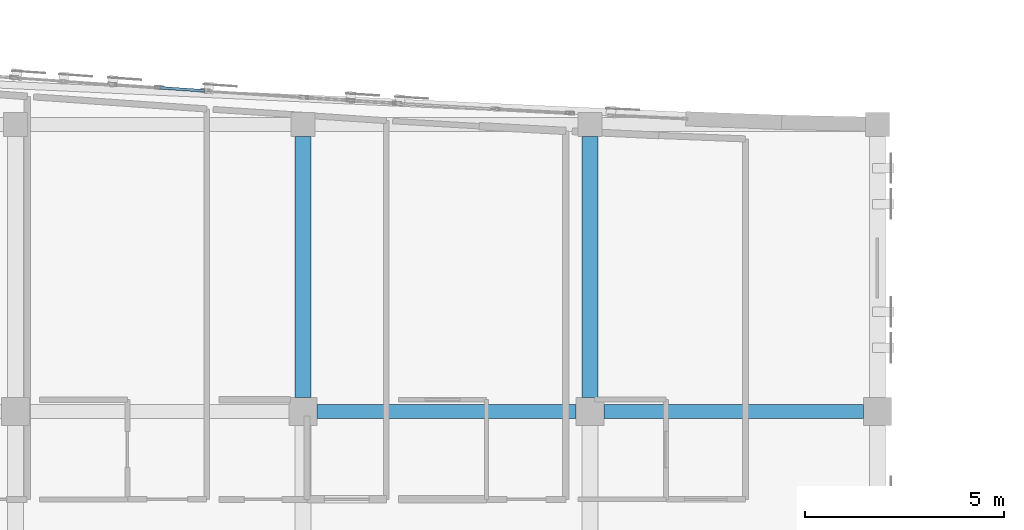
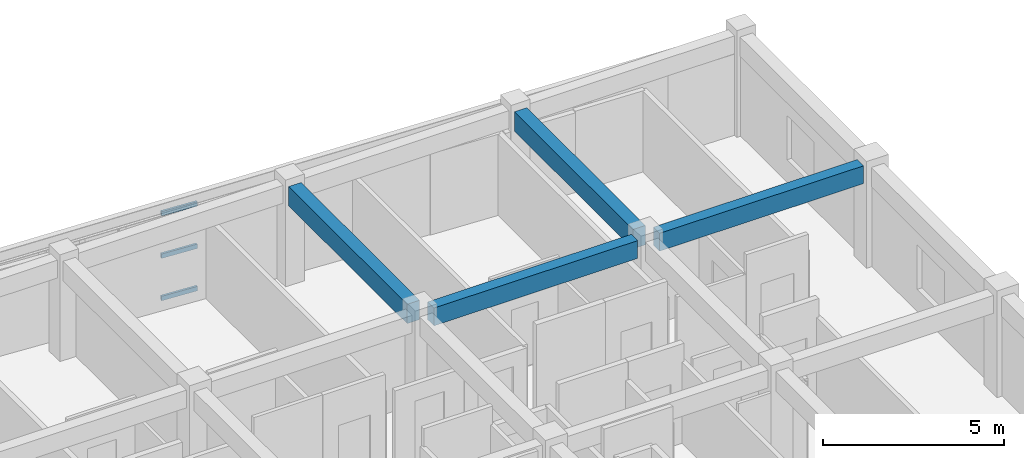
# One storey, part 27 of 50: 4 beams, 3 members, 1 element without a shape of its own.
"""IFC4 building model written with IfcOpenShell, lengths in metres."""

from ifc_helpers import new_model, si_unit, direction, frame, origin, origin_2d, place, context, subcontext, project, spatial, rectangle, hollow_rectangle, extrude, material, layer, layer_set, material_profile, profile_set, type_object, element, aggregate, save


model = new_model("IFC4")

# Units and contexts
model_context = context("Model", 3, precision=1e-05, world=origin(), true_north=direction((0.0, 1.0)))
body_context = subcontext(model_context, "Body", "Model", "MODEL_VIEW")
ifc_project = project(units=[si_unit("LENGTHUNIT", "METRE"), si_unit("AREAUNIT", "SQUARE_METRE"), si_unit("VOLUMEUNIT", "CUBIC_METRE"), si_unit("PLANEANGLEUNIT", "RADIAN"), si_unit("MASSUNIT", "GRAM", prefix="KILO")], contexts=[model_context])

# Site, building, storey
site_placement = place(None, origin())
site = spatial("IfcSite", under=ifc_project, at=site_placement, CompositionType="ELEMENT")
building_placement = place(site_placement, origin())
building = spatial("IfcBuilding", under=site, at=building_placement, Name="Carrowvane Square Congress Hotel", CompositionType="ELEMENT")
storey_placement = place(building_placement, frame((0.0, 0.0, 22.800048828125)))
storey = spatial("IfcBuildingStorey", under=building, at=storey_placement, Name="L05", CompositionType="ELEMENT", Elevation=22.800048828125)

# Beams
ifc_material_1 = material(Name="Concrete C35/45", Category="concrete")
ifc_material_profile_1 = material_profile(ifc_material_1, rectangle(XDim=0.35009765625, YDim=0.60009765625, at=origin_2d()), Name="RC 350x600")
ifc_profile_set_1 = profile_set([ifc_material_profile_1], Name="Concrete C35/45")
beam_type_1 = type_object("IfcBeamType", Name="BM-RC-350x600", PredefinedType="BEAM", material=ifc_profile_set_1)
for number, where, z_axis, x_axis, name in (
    (1, (148.75, 106.199951171875, 3.050048828125), (1.0, 0.0, 0.0), (0.0, 1.0, 0.0), "L06 girder Q/20-21"),
    (2, (155.949951171875, 106.199951171875, 3.050048828125), (1.0, 0.0, 0.0), (0.0, 1.0, 0.0), "L06 girder Q/21-22"),
):
    element("IfcBeam", number, at=place(storey_placement, frame(where, z_axis=z_axis, x_axis=x_axis)), inside=storey, type_object=beam_type_1, Name=name, PredefinedType="BEAM", context=body_context, shape_type="SweptSolid", body=[
        extrude(rectangle(XDim=0.35009765625, YDim=0.60009765625, at=origin_2d()), origin(), (0.0, 0.0, 1.0), 6.5),
    ])
ifc_material_2 = material(Name="Concrete C35/45", Category="concrete")
ifc_material_profile_2 = material_profile(ifc_material_2, rectangle(XDim=0.39990234375, YDim=0.64990234375, at=origin_2d()), Name="RC 400x650")
ifc_profile_set_2 = profile_set([ifc_material_profile_2], Name="Concrete C35/45")
beam_type_2 = type_object("IfcBeamType", Name="BM-RC-400x650", PredefinedType="BEAM", material=ifc_profile_set_2)
for number, where, z_axis, x_axis, name in (
    (3, (148.39990234375, 106.550048828125, 3.02490234375), (0.0, 1.0, 0.0), (-1.0, 0.0, 0.0), "L06 girder 20/Q-R"),
    (4, (155.60009765625, 106.550048828125, 3.02490234375), (0.0, 1.0, 0.0), (-1.0, 0.0, 0.0), "L06 girder 21/Q-R"),
):
    element("IfcBeam", number, at=place(storey_placement, frame(where, z_axis=z_axis, x_axis=x_axis)), inside=storey, type_object=beam_type_2, Name=name, PredefinedType="BEAM", context=body_context, shape_type="SweptSolid", body=[
        extrude(rectangle(XDim=0.39990234375, YDim=0.64990234375, at=origin_2d()), origin(), (0.0, 0.0, 1.0), 6.550048828125),
    ])

# Curtain wall, members
ifc_material_3 = material(Name="Anodised aluminium", Category="aluminium")
ifc_layer = layer(ifc_material_3, 0.24609375)
ifc_layer_set = layer_set([ifc_layer], Name="Anodised aluminium")
curtain_wall_type = type_object("IfcCurtainWallType", Name="CW-SYS-8", PredefinedType="NOTDEFINED", material=ifc_layer_set)
curtain_wall_placement = place(storey_placement, origin())
curtain_wall = element("IfcCurtainWall", 5, at=curtain_wall_placement, inside=storey, type_object=curtain_wall_type, Name="L05 unitised curtain wall 351", PredefinedType="NOTDEFINED")
ifc_material_4 = material(Name="Anodised aluminium", Category="aluminium")
ifc_material_profile_3 = material_profile(ifc_material_4, hollow_rectangle(XDim=0.070068359375, YDim=0.14990234375, WallThickness=0.0048828125, at=origin_2d()), Name="CW-TR 70x150x5")
ifc_profile_set_3 = profile_set([ifc_material_profile_3], Name="Anodised aluminium")
member_type = type_object("IfcMemberType", Name="CW-TRN-2", PredefinedType="USERDEFINED", material=ifc_profile_set_3)
member_1_placement = place(storey_placement, frame((144.8349609375, 114.316162109375, 0.034912109375), z_axis=(0.997605525586, -0.069160793236, 0.0), x_axis=(0.069160793236, 0.997605525586, 0.0)))
member_1 = element("IfcMember", 6, at=member_1_placement, type_object=member_type, Name="CW-8 transom 2.1", ObjectType="TRANSOM", PredefinedType="USERDEFINED", context=body_context, shape_type="SweptSolid", body=[
    extrude(hollow_rectangle(XDim=0.070068359375, YDim=0.14990234375, WallThickness=0.0048828125, at=origin_2d()), origin(), (0.0, 0.0, 1.0), 1.097900390625),
])
member_2_placement = place(storey_placement, frame((144.8349609375, 114.316162109375, 1.462646484375), z_axis=(0.997605525586, -0.069160793236, 0.0), x_axis=(0.069160793236, 0.997605525586, 0.0)))
member_2 = element("IfcMember", 7, at=member_2_placement, type_object=member_type, Name="CW-8 transom 2.2", ObjectType="TRANSOM", PredefinedType="USERDEFINED", context=body_context, shape_type="SweptSolid", body=[
    extrude(hollow_rectangle(XDim=0.070068359375, YDim=0.14990234375, WallThickness=0.0048828125, at=origin_2d()), origin(), (0.0, 0.0, 1.0), 1.097900390625),
])
member_3_placement = place(storey_placement, frame((144.8349609375, 114.316162109375, 2.890625), z_axis=(0.997605525586, -0.069160793236, 0.0), x_axis=(0.069160793236, 0.997605525586, 0.0)))
member_3 = element("IfcMember", 8, at=member_3_placement, type_object=member_type, Name="CW-8 transom 2.3", ObjectType="TRANSOM", PredefinedType="USERDEFINED", context=body_context, shape_type="SweptSolid", body=[
    extrude(hollow_rectangle(XDim=0.070068359375, YDim=0.14990234375, WallThickness=0.0048828125, at=origin_2d()), origin(), (0.0, 0.0, 1.0), 1.097900390625),
])
aggregate(curtain_wall, [member_1, member_2, member_3])

save(model, "model.ifc")
